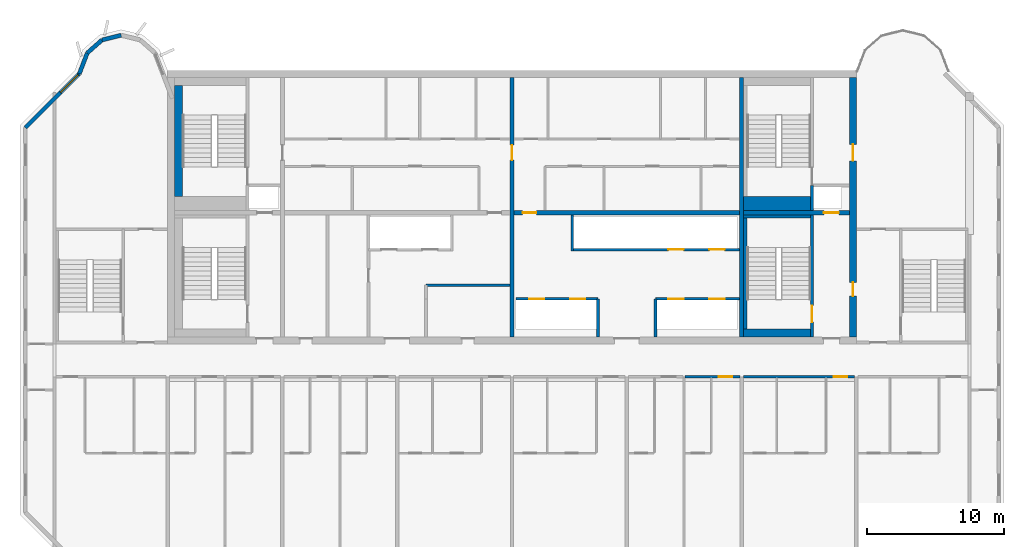
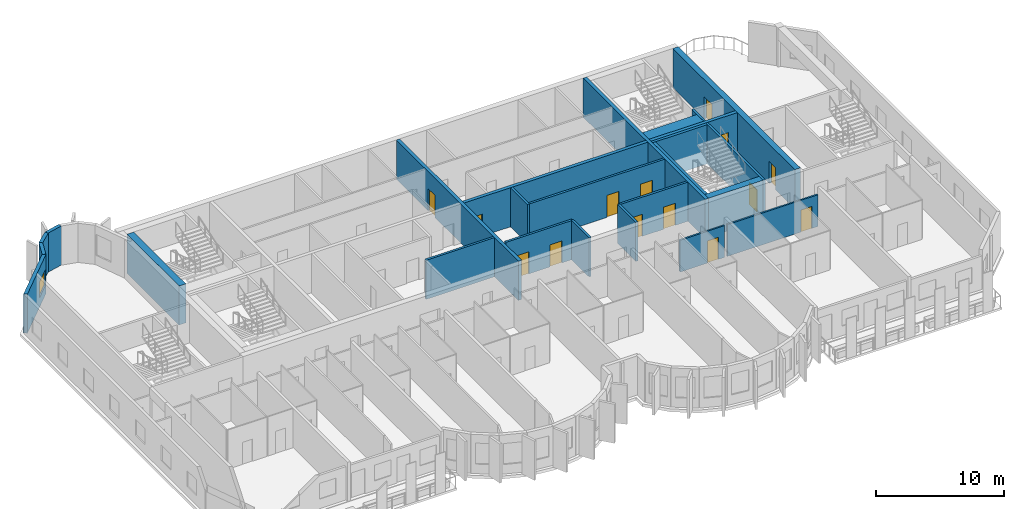
# One storey, part 6 of 12: 25 walls, 14 doors, 1 window, 15 openings.
"""IFC4 building model written with IfcOpenShell, lengths in metres."""

from ifc_helpers import new_model, si_unit, direction, frame, frame_2d, origin, place, context, subcontext, project, spatial, rectangle, extrude, source, transform, mapped, material, layer, layer_set, type_object, element, fill, save


model = new_model("IFC4")

# Units and contexts
model_context = context("Model", 3, precision=1e-05, world=origin(), true_north=direction((0.0, 1.0)))
body_context = subcontext(model_context, "Body", "Model", "MODEL_VIEW")
ifc_project = project(units=[si_unit("LENGTHUNIT", "METRE"), si_unit("AREAUNIT", "SQUARE_METRE"), si_unit("VOLUMEUNIT", "CUBIC_METRE"), si_unit("PLANEANGLEUNIT", "RADIAN"), si_unit("MASSUNIT", "GRAM", prefix="KILO")], contexts=[model_context])

# Site, building, storey
site_placement = place(None, origin())
site = spatial("IfcSite", under=ifc_project, at=site_placement, CompositionType="ELEMENT")
building_placement = place(site_placement, origin())
building = spatial("IfcBuilding", under=site, at=building_placement, Name="Vanashikhar Sky Hotel", CompositionType="ELEMENT")
storey_placement = place(building_placement, frame((0.0, 0.0, 289.699951171875)))
storey = spatial("IfcBuildingStorey", under=building, at=storey_placement, Name="L69", CompositionType="ELEMENT", Elevation=289.699951171875)

# Wall, openings, doors
ifc_material_1 = material(Name="Concrete M50", Category="concrete")
ifc_layer_1 = layer(ifc_material_1, 0.5)
ifc_layer_set_1 = layer_set([ifc_layer_1], Name="RC core shell wall 500 Concrete M50")
wall_type_1 = type_object("IfcWallType", Name="RC core shell wall 500 Concrete M50", PredefinedType="SHEAR", material=ifc_layer_set_1)
shared_shape_1 = source(origin(), body_context, "Body", "SweptSolid", [
    extrude(rectangle(XDim=19.0, YDim=0.5, at=frame_2d((9.5, 0.0))), origin(), (0.0, 0.0, 1.0), 3.719970703125),
])
wall_1_placement = place(storey_placement, frame((75.35009765625, 22.5, 0.0), z_axis=(0.0, 0.0, 1.0), x_axis=(0.0, 1.0, 0.0)))
wall_1 = element("IfcWall", 1, at=wall_1_placement, inside=storey, type_object=wall_type_1, Name="KW-L69-KE", PredefinedType="SHEAR", context=body_context, shape_type="MappedRepresentation", body=[
    mapped(shared_shape_1, transform((0.0, 0.0, 0.0), scale=1.0)),
])
shared_shape_2 = source(origin(), body_context, "Body", "SweptSolid", [
    extrude(rectangle(XDim=1.0, YDim=2.10009765625, at=frame_2d((0.5, 1.050048828125))), frame((0.0, 0.260009765625, 0.0), z_axis=(0.0, -1.0, 0.0), x_axis=(1.0, 0.0, 0.0)), (0.0, 0.0, 1.0), 0.52001953125),
])
opening_1_placement = place(wall_1_placement, frame((3.0, 0.0, 0.0)))
opening_1 = element("IfcOpeningElement", 2, at=opening_1_placement, cuts=wall_1, Name="Opening DC-5", PredefinedType="OPENING", context=body_context, shape_type="MappedRepresentation", body=[
    mapped(shared_shape_2, transform((0.0, 0.0, 0.0), scale=1.0)),
])
shared_shape_3 = source(origin(), body_context, "Body", "SweptSolid", [
    extrude(rectangle(XDim=1.199951171875, YDim=2.10009765625, at=frame_2d((0.60009765625, 1.050048828125))), frame((0.0, 0.260009765625, 0.0), z_axis=(0.0, -1.0, 0.0), x_axis=(1.0, 0.0, 0.0)), (0.0, 0.0, 1.0), 0.52001953125),
])
opening_2_placement = place(wall_1_placement, frame((12.89990234375, 0.0, 0.0)))
opening_2 = element("IfcOpeningElement", 3, at=opening_2_placement, cuts=wall_1, Name="Opening DC-4-D", PredefinedType="OPENING", context=body_context, shape_type="MappedRepresentation", body=[
    mapped(shared_shape_3, transform((0.0, 0.0, 0.0), scale=1.0)),
])
ifc_material_2 = material(Name="Steel", Category="steel")
door_type_1 = type_object("IfcDoorType", Name="Refuge door 1000 FD120", OperationType="NOTDEFINED", PredefinedType="DOOR", material=ifc_material_2)
shared_shape_4 = source(origin(), body_context, "Body", "SweptSolid", [
    extrude(rectangle(XDim=1.0, YDim=2.10009765625, at=frame_2d((0.5, 1.050048828125))), frame((0.0, 0.02490234375, 0.0), z_axis=(0.0, -1.0, 0.0), x_axis=(1.0, 0.0, 0.0)), (0.0, 0.0, 1.0), 0.050048828125),
])
door_1_placement = place(opening_1_placement, origin())
door_1 = element("IfcDoor", 4, at=door_1_placement, inside=storey, type_object=door_type_1, Name="Refuge door 1000 FD120", OperationType="SINGLE_SWING_RIGHT", OverallHeight=2.10009765625, OverallWidth=1.0, PredefinedType="DOOR", context=body_context, shape_type="MappedRepresentation", body=[
    mapped(shared_shape_4, transform((0.0, 0.0, 0.0), scale=1.0)),
])
fill(opening_1, door_1)
door_type_2 = type_object("IfcDoorType", Name="Service door 1200 FD120", OperationType="NOTDEFINED", PredefinedType="DOOR", material=ifc_material_2)
shared_shape_5 = source(origin(), body_context, "Body", "SweptSolid", [
    extrude(rectangle(XDim=1.199951171875, YDim=2.10009765625, at=frame_2d((0.60009765625, 1.050048828125))), frame((0.0, 0.02490234375, 0.0), z_axis=(0.0, -1.0, 0.0), x_axis=(1.0, 0.0, 0.0)), (0.0, 0.0, 1.0), 0.050048828125),
])
door_2_placement = place(opening_2_placement, origin())
door_2 = element("IfcDoor", 5, at=door_2_placement, inside=storey, type_object=door_type_2, Name="Service door 1200 FD120", OperationType="SINGLE_SWING_RIGHT", OverallHeight=2.10009765625, OverallWidth=1.199951171875, PredefinedType="DOOR", context=body_context, shape_type="MappedRepresentation", body=[
    mapped(shared_shape_5, transform((0.0, 0.0, 0.0), scale=1.0)),
])
fill(opening_2, door_2)

# Wall, opening, door
ifc_layer_2 = layer(ifc_material_1, 0.300048828125)
ifc_layer_set_2 = layer_set([ifc_layer_2], Name="RC core inner wall 300 Concrete M50")
wall_type_2 = type_object("IfcWallType", Name="RC core inner wall 300 Concrete M50", PredefinedType="SHEAR", material=ifc_layer_set_2)
shared_shape_6 = source(origin(), body_context, "Body", "SweptSolid", [
    extrude(rectangle(XDim=19.0, YDim=0.300048828125, at=frame_2d((9.5, 0.0))), origin(), (0.0, 0.0, 1.0), 3.719970703125),
])
wall_2_placement = place(storey_placement, frame((50.39990234375, 22.5, 0.0), z_axis=(0.0, 0.0, 1.0), x_axis=(0.0, 1.0, 0.0)))
wall_2 = element("IfcWall", 6, at=wall_2_placement, inside=storey, type_object=wall_type_2, Name="KW-L69-KX2", PredefinedType="SHEAR", context=body_context, shape_type="MappedRepresentation", body=[
    mapped(shared_shape_6, transform((0.0, 0.0, 0.0), scale=1.0)),
])
shared_shape_7 = source(origin(), body_context, "Body", "SweptSolid", [
    extrude(rectangle(XDim=1.10009765625, YDim=2.10009765625, at=frame_2d((0.550048828125, 1.050048828125))), frame((0.0, 0.16015625, 0.0), z_axis=(0.0, -1.0, 0.0), x_axis=(1.0, 0.0, 0.0)), (0.0, 0.0, 1.0), 0.320068359375),
])
opening_3_placement = place(wall_2_placement, frame((12.949951171875, 0.0, 0.0)))
opening_3 = element("IfcOpeningElement", 7, at=opening_3_placement, cuts=wall_2, Name="Opening DC-4-C", PredefinedType="OPENING", context=body_context, shape_type="MappedRepresentation", body=[
    mapped(shared_shape_7, transform((0.0, 0.0, 0.0), scale=1.0)),
])
door_type_3 = type_object("IfcDoorType", Name="Service door 1100 FD60", OperationType="NOTDEFINED", PredefinedType="DOOR", material=ifc_material_2)
shared_shape_8 = source(origin(), body_context, "Body", "SweptSolid", [
    extrude(rectangle(XDim=1.10009765625, YDim=2.10009765625, at=frame_2d((0.550048828125, 1.050048828125))), frame((0.0, 0.02490234375, 0.0), z_axis=(0.0, -1.0, 0.0), x_axis=(1.0, 0.0, 0.0)), (0.0, 0.0, 1.0), 0.050048828125),
])
door_3_placement = place(opening_3_placement, origin())
door_3 = element("IfcDoor", 8, at=door_3_placement, inside=storey, type_object=door_type_3, Name="Service door 1100 FD60", OperationType="SINGLE_SWING_RIGHT", OverallHeight=2.10009765625, OverallWidth=1.10009765625, PredefinedType="DOOR", context=body_context, shape_type="MappedRepresentation", body=[
    mapped(shared_shape_8, transform((0.0, 0.0, 0.0), scale=1.0)),
])
fill(opening_3, door_3)

# Wall
wall_3_placement = place(storey_placement, frame((67.199951171875, 22.5, 0.0), z_axis=(0.0, 0.0, 1.0), x_axis=(0.0, 1.0, 0.0)))
element("IfcWall", 9, at=wall_3_placement, inside=storey, type_object=wall_type_2, Name="KW-L69-KX3", PredefinedType="SHEAR", context=body_context, shape_type="MappedRepresentation", body=[
    mapped(shared_shape_6, transform((0.0, 0.0, 0.0), scale=1.0)),
])

# Wall, opening, door
shared_shape_9 = source(origin(), body_context, "Body", "SweptSolid", [
    extrude(rectangle(XDim=7.75, YDim=0.300048828125, at=frame_2d((3.875, 0.0))), origin(), (0.0, 0.0, 1.0), 3.719970703125),
])
wall_4_placement = place(storey_placement, frame((67.35009765625, 31.60009765625, 0.0), z_axis=(0.0, 0.0, 1.0), x_axis=(1.0, 0.0, 0.0)))
wall_4 = element("IfcWall", 10, at=wall_4_placement, inside=storey, type_object=wall_type_2, Name="KW-L69-KY4", PredefinedType="SHEAR", context=body_context, shape_type="MappedRepresentation", body=[
    mapped(shared_shape_9, transform((0.0, 0.0, 0.0), scale=1.0)),
])
opening_4_placement = place(wall_4_placement, frame((5.875, 0.0, 0.0)))
opening_4 = element("IfcOpeningElement", 11, at=opening_4_placement, cuts=wall_4, Name="Opening LD", PredefinedType="OPENING", context=body_context, shape_type="MappedRepresentation", body=[
    mapped(shared_shape_7, transform((0.0, 0.0, 0.0), scale=1.0)),
])
ifc_material_3 = material(Name="Stainless steel", Category="steel")
door_type_4 = type_object("IfcDoorType", Name="Lift landing door 1100", OperationType="NOTDEFINED", PredefinedType="DOOR", material=ifc_material_3)
door_4_placement = place(opening_4_placement, origin())
door_4 = element("IfcDoor", 12, at=door_4_placement, inside=storey, type_object=door_type_4, Name="Lift landing door 1100", OperationType="SLIDING_TO_LEFT", OverallHeight=2.10009765625, OverallWidth=1.10009765625, PredefinedType="DOOR", context=body_context, shape_type="MappedRepresentation", body=[
    mapped(shared_shape_8, transform((0.0, 0.0, 0.0), scale=1.0)),
])
fill(opening_4, door_4)

shared_shape_10 = source(origin(), body_context, "Body", "SweptSolid", [
    extrude(rectangle(XDim=16.5, YDim=0.300048828125, at=frame_2d((8.25, 0.0))), origin(), (0.0, 0.0, 1.0), 3.719970703125),
])
wall_5_placement = place(storey_placement, frame((50.550048828125, 31.60009765625, 0.0), z_axis=(0.0, 0.0, 1.0), x_axis=(1.0, 0.0, 0.0)))
wall_5 = element("IfcWall", 13, at=wall_5_placement, inside=storey, type_object=wall_type_2, Name="KW-L69-KY3", PredefinedType="SHEAR", context=body_context, shape_type="MappedRepresentation", body=[
    mapped(shared_shape_10, transform((0.0, 0.0, 0.0), scale=1.0)),
])
shared_shape_11 = source(origin(), body_context, "Body", "SweptSolid", [
    extrude(rectangle(XDim=1.0, YDim=2.10009765625, at=frame_2d((0.5, 1.050048828125))), frame((0.0, 0.16015625, 0.0), z_axis=(0.0, -1.0, 0.0), x_axis=(1.0, 0.0, 0.0)), (0.0, 0.0, 1.0), 0.320068359375),
])
opening_5_placement = place(wall_5_placement, frame((0.625, 0.0, 0.0)))
opening_5 = element("IfcOpeningElement", 14, at=opening_5_placement, cuts=wall_5, Name="Opening DC-4", PredefinedType="OPENING", context=body_context, shape_type="MappedRepresentation", body=[
    mapped(shared_shape_11, transform((0.0, 0.0, 0.0), scale=1.0)),
])
door_type_5 = type_object("IfcDoorType", Name="Service door 1000 FD60", OperationType="NOTDEFINED", PredefinedType="DOOR", material=ifc_material_2)
door_5_placement = place(opening_5_placement, origin())
door_5 = element("IfcDoor", 15, at=door_5_placement, inside=storey, type_object=door_type_5, Name="Service door 1000 FD60", OperationType="SINGLE_SWING_RIGHT", OverallHeight=2.10009765625, OverallWidth=1.0, PredefinedType="DOOR", context=body_context, shape_type="MappedRepresentation", body=[
    mapped(shared_shape_4, transform((0.0, 0.0, 0.0), scale=1.0)),
])
fill(opening_5, door_5)

# Wall, opening, window
ifc_layer_3 = layer(ifc_material_1, 0.300048828125)
ifc_layer_set_3 = layer_set([ifc_layer_3], Name="Lobe wall 300")
wall_type_3 = type_object("IfcWallType", Name="Lobe wall 300", PredefinedType="SOLIDWALL", material=ifc_layer_set_3)
shared_shape_12 = source(origin(), body_context, "Body", "SweptSolid", [
    extrude(rectangle(XDim=5.576416015625, YDim=0.300048828125, at=frame_2d((2.7880859375, 0.0))), origin(), (0.0, 0.0, 1.0), 3.719970703125),
])
wall_6_placement = place(storey_placement, frame((18.7431640625, 41.77734375, 0.0), z_axis=(0.0, 0.0, 1.0), x_axis=(-0.707106781187, -0.707106781187, 0.0)))
wall_6 = element("IfcWall", 16, at=wall_6_placement, inside=storey, type_object=wall_type_3, Name="Corner wall", PredefinedType="SOLIDWALL", context=body_context, shape_type="MappedRepresentation", body=[
    mapped(shared_shape_12, transform((0.0, 0.0, 0.0), scale=1.0)),
])
shared_shape_13 = source(origin(), body_context, "Body", "SweptSolid", [
    extrude(rectangle(XDim=1.800048828125, YDim=1.5, at=frame_2d((0.89990234375, 0.75))), frame((0.0, 0.16015625, 0.0), z_axis=(0.0, -1.0, 0.0), x_axis=(1.0, 0.0, 0.0)), (0.0, 0.0, 1.0), 0.320068359375),
])
opening_6_placement = place(wall_6_placement, frame((0.135498046875, 0.0, 0.89990234375)))
opening_6 = element("IfcOpeningElement", 17, at=opening_6_placement, cuts=wall_6, Name="Opening WN-4", PredefinedType="OPENING", context=body_context, shape_type="MappedRepresentation", body=[
    mapped(shared_shape_13, transform((0.0, 0.0, 0.0), scale=1.0)),
])
ifc_material_4 = material(Name="Glass", Category="glass")
window_type = type_object("IfcWindowType", Name="Corner window 1800 x 1500", PartitioningType="SINGLE_PANEL", PredefinedType="WINDOW", material=ifc_material_4)
shared_shape_14 = source(origin(), body_context, "Body", "SweptSolid", [
    extrude(rectangle(XDim=1.800048828125, YDim=1.5, at=frame_2d((0.89990234375, 0.75))), frame((0.0, 0.030029296875, 0.0), z_axis=(0.0, -1.0, 0.0), x_axis=(1.0, 0.0, 0.0)), (0.0, 0.0, 1.0), 0.06005859375),
])
window_placement = place(opening_6_placement, origin())
window = element("IfcWindow", 18, at=window_placement, inside=storey, type_object=window_type, Name="Window WN-4", OverallHeight=1.5, OverallWidth=1.800048828125, PartitioningType="SINGLE_PANEL", PredefinedType="WINDOW", context=body_context, shape_type="MappedRepresentation", body=[
    mapped(shared_shape_14, transform((0.0, 0.0, 0.0), scale=1.0)),
])
fill(opening_6, window)

# Walls
shared_shape_15 = source(origin(), body_context, "Body", "SweptSolid", [
    extrude(rectangle(XDim=1.6220703125, YDim=0.300048828125, at=frame_2d((0.81103515625, 0.0))), origin(), (0.0, 0.0, 1.0), 3.719970703125),
])
wall_7_placement = place(storey_placement, frame((19.323486328125, 43.2919921875, 0.0), z_axis=(0.0, 0.0, 1.0), x_axis=(-0.357778527068, -0.933806471154, 0.0)))
element("IfcWall", 19, at=wall_7_placement, inside=storey, type_object=wall_type_3, Name="Lobe wall", PredefinedType="SOLIDWALL", context=body_context, shape_type="MappedRepresentation", body=[
    mapped(shared_shape_15, transform((0.0, 0.0, 0.0), scale=1.0)),
])
shared_shape_16 = source(origin(), body_context, "Body", "SweptSolid", [
    extrude(rectangle(XDim=1.43994140625, YDim=0.300048828125, at=frame_2d((0.719970703125, 0.0))), origin(), (0.0, 0.0, 1.0), 3.719970703125),
])
wall_8_placement = place(storey_placement, frame((20.40283203125, 44.2451171875, 0.0), z_axis=(0.0, 0.0, 1.0), x_axis=(-0.74957555648, -0.661918790432, 0.0)))
element("IfcWall", 20, at=wall_8_placement, inside=storey, type_object=wall_type_3, Name="Lobe wall", PredefinedType="SOLIDWALL", context=body_context, shape_type="MappedRepresentation", body=[
    mapped(shared_shape_16, transform((0.0, 0.0, 0.0), scale=1.0)),
])
shared_shape_17 = source(origin(), body_context, "Body", "SweptSolid", [
    extrude(rectangle(XDim=1.438720703125, YDim=0.300048828125, at=frame_2d((0.71923828125, 0.0))), origin(), (0.0, 0.0, 1.0), 3.719970703125),
])
wall_9_placement = place(storey_placement, frame((21.800048828125, 44.588134765625, 0.0), z_axis=(0.0, 0.0, 1.0), x_axis=(-0.971161932466, -0.238420848351, 0.0)))
element("IfcWall", 21, at=wall_9_placement, inside=storey, type_object=wall_type_3, Name="Lobe wall", PredefinedType="SOLIDWALL", context=body_context, shape_type="MappedRepresentation", body=[
    mapped(shared_shape_17, transform((0.0, 0.0, 0.0), scale=1.0)),
])

# Wall, openings, doors
ifc_material_5 = material(Name="Concrete M40", Category="concrete")
ifc_layer_4 = layer(ifc_material_5, 0.199951171875)
ifc_layer_set_4 = layer_set([ifc_layer_4], Name="Shaft wall 200")
wall_type_4 = type_object("IfcWallType", Name="Shaft wall 200", PredefinedType="SOLIDWALL", material=ifc_layer_set_4)
shared_shape_18 = source(origin(), body_context, "Body", "SweptSolid", [
    extrude(rectangle(XDim=6.0, YDim=0.199951171875, at=frame_2d((3.0, 0.0))), origin(), (0.0, 0.0, 1.0), 3.719970703125),
])
wall_10_placement = place(storey_placement, frame((56.699951171875, 25.300048828125, 0.0), z_axis=(0.0, 0.0, 1.0), x_axis=(-1.0, 0.0, 0.0)))
wall_10 = element("IfcWall", 22, at=wall_10_placement, inside=storey, type_object=wall_type_4, Name="Shaft wall 200", PredefinedType="SOLIDWALL", context=body_context, shape_type="MappedRepresentation", body=[
    mapped(shared_shape_18, transform((0.0, 0.0, 0.0), scale=1.0)),
])
shared_shape_19 = source(origin(), body_context, "Body", "SweptSolid", [
    extrude(rectangle(XDim=1.10009765625, YDim=2.10009765625, at=frame_2d((0.550048828125, 1.050048828125))), frame((0.0, 0.10986328125, 0.0), z_axis=(0.0, -1.0, 0.0), x_axis=(1.0, 0.0, 0.0)), (0.0, 0.0, 1.0), 0.219970703125),
])
opening_7_placement = place(wall_10_placement, frame((0.949951171875, 0.0, 0.0)))
opening_7 = element("IfcOpeningElement", 23, at=opening_7_placement, cuts=wall_10, Name="Opening LD", PredefinedType="OPENING", context=body_context, shape_type="MappedRepresentation", body=[
    mapped(shared_shape_19, transform((0.0, 0.0, 0.0), scale=1.0)),
])
opening_8_placement = place(wall_10_placement, frame((3.949951171875, 0.0, 0.0)))
opening_8 = element("IfcOpeningElement", 24, at=opening_8_placement, cuts=wall_10, Name="Opening LD", PredefinedType="OPENING", context=body_context, shape_type="MappedRepresentation", body=[
    mapped(shared_shape_19, transform((0.0, 0.0, 0.0), scale=1.0)),
])
door_6_placement = place(opening_7_placement, origin())
door_6 = element("IfcDoor", 25, at=door_6_placement, inside=storey, type_object=door_type_4, Name="Lift landing door 1100", OperationType="SLIDING_TO_RIGHT", OverallHeight=2.10009765625, OverallWidth=1.10009765625, PredefinedType="DOOR", context=body_context, shape_type="MappedRepresentation", body=[
    mapped(shared_shape_8, transform((0.0, 0.0, 0.0), scale=1.0)),
])
fill(opening_7, door_6)
door_7_placement = place(opening_8_placement, origin())
door_7 = element("IfcDoor", 26, at=door_7_placement, inside=storey, type_object=door_type_4, Name="Lift landing door 1100", OperationType="SLIDING_TO_LEFT", OverallHeight=2.10009765625, OverallWidth=1.10009765625, PredefinedType="DOOR", context=body_context, shape_type="MappedRepresentation", body=[
    mapped(shared_shape_8, transform((0.0, 0.0, 0.0), scale=1.0)),
])
fill(opening_8, door_7)

# Walls
shared_shape_20 = source(origin(), body_context, "Body", "SweptSolid", [
    extrude(rectangle(XDim=2.800048828125, YDim=0.199951171875, at=frame_2d((1.39990234375, 0.0))), origin(), (0.0, 0.0, 1.0), 3.719970703125),
])
for number, where, z_axis, x_axis, name in (
    (27, (60.89990234375, 22.5, 0.0), (0.0, 0.0, 1.0), (0.0, 1.0, 0.0), "Shaft wall 200"),
    (28, (56.699951171875, 22.5, 0.0), (0.0, 0.0, 1.0), (0.0, 1.0, 0.0), "Shaft wall 200"),
):
    element("IfcWall", number, at=place(storey_placement, frame(where, z_axis=z_axis, x_axis=x_axis)), inside=storey, type_object=wall_type_4, Name=name, PredefinedType="SOLIDWALL", context=body_context, shape_type="MappedRepresentation", body=[
        mapped(shared_shape_20, transform((0.0, 0.0, 0.0), scale=1.0)),
    ])
shared_shape_21 = source(origin(), body_context, "Body", "SweptSolid", [
    extrude(rectangle(XDim=2.64990234375, YDim=0.199951171875, at=frame_2d((1.324951171875, 0.0))), origin(), (0.0, 0.0, 1.0), 3.719970703125),
])
wall_11_placement = place(storey_placement, frame((54.800048828125, 28.800048828125, 0.0), z_axis=(0.0, 0.0, 1.0), x_axis=(0.0, 1.0, 0.0)))
element("IfcWall", 29, at=wall_11_placement, inside=storey, type_object=wall_type_4, Name="Shaft wall 200", PredefinedType="SOLIDWALL", context=body_context, shape_type="MappedRepresentation", body=[
    mapped(shared_shape_21, transform((0.0, 0.0, 0.0), scale=1.0)),
])
ifc_material_6 = material(Name="Gypsum board partition")
ifc_layer_5 = layer(ifc_material_6, 0.14990234375)
ifc_layer_set_5 = layer_set([ifc_layer_5], Name="Service partition 150")
wall_type_5 = type_object("IfcWallType", Name="Service partition 150", PredefinedType="PARTITIONING", material=ifc_layer_set_5)
shared_shape_22 = source(origin(), body_context, "Body", "SweptSolid", [
    extrude(rectangle(XDim=6.14990234375, YDim=0.199951171875, at=frame_2d((3.074951171875, 0.0))), origin(), (0.0, 0.0, 1.0), 3.719970703125),
])
wall_12_placement = place(storey_placement, frame((44.10009765625, 26.300048828125, 0.0), z_axis=(0.0, 0.0, 1.0), x_axis=(1.0, 0.0, 0.0)))
element("IfcWall", 30, at=wall_12_placement, inside=storey, type_object=wall_type_5, Name="Service partition 150", PredefinedType="PARTITIONING", context=body_context, shape_type="MappedRepresentation", body=[
    mapped(shared_shape_22, transform((0.0, 0.0, 0.0), scale=1.0)),
])

# Wall, openings, doors
shared_shape_23 = source(origin(), body_context, "Body", "SweptSolid", [
    extrude(rectangle(XDim=6.150146484375, YDim=0.199951171875, at=frame_2d((3.0751953125, 0.0))), origin(), (0.0, 0.0, 1.0), 3.719970703125),
])
wall_13_placement = place(storey_placement, frame((67.050048828125, 25.300048828125, 0.0), z_axis=(0.0, 0.0, 1.0), x_axis=(-1.0, 0.0, 0.0)))
wall_13 = element("IfcWall", 31, at=wall_13_placement, inside=storey, type_object=wall_type_4, Name="Shaft wall 200", PredefinedType="SOLIDWALL", context=body_context, shape_type="MappedRepresentation", body=[
    mapped(shared_shape_23, transform((0.0, 0.0, 0.0), scale=1.0)),
])
opening_9_placement = place(wall_13_placement, frame((1.10009765625, 0.0, 0.0)))
opening_9 = element("IfcOpeningElement", 32, at=opening_9_placement, cuts=wall_13, Name="Opening LD", PredefinedType="OPENING", context=body_context, shape_type="MappedRepresentation", body=[
    mapped(shared_shape_19, transform((0.0, 0.0, 0.0), scale=1.0)),
])
opening_10_placement = place(wall_13_placement, frame((4.10009765625, 0.0, 0.0)))
opening_10 = element("IfcOpeningElement", 33, at=opening_10_placement, cuts=wall_13, Name="Opening LD", PredefinedType="OPENING", context=body_context, shape_type="MappedRepresentation", body=[
    mapped(shared_shape_19, transform((0.0, 0.0, 0.0), scale=1.0)),
])
door_8_placement = place(opening_9_placement, origin())
door_8 = element("IfcDoor", 34, at=door_8_placement, inside=storey, type_object=door_type_4, Name="Lift landing door 1100", OperationType="SLIDING_TO_RIGHT", OverallHeight=2.10009765625, OverallWidth=1.10009765625, PredefinedType="DOOR", context=body_context, shape_type="MappedRepresentation", body=[
    mapped(shared_shape_8, transform((0.0, 0.0, 0.0), scale=1.0)),
])
fill(opening_9, door_8)
door_9_placement = place(opening_10_placement, origin())
door_9 = element("IfcDoor", 35, at=door_9_placement, inside=storey, type_object=door_type_4, Name="Lift landing door 1100", OperationType="SLIDING_TO_LEFT", OverallHeight=2.10009765625, OverallWidth=1.10009765625, PredefinedType="DOOR", context=body_context, shape_type="MappedRepresentation", body=[
    mapped(shared_shape_8, transform((0.0, 0.0, 0.0), scale=1.0)),
])
fill(opening_10, door_9)

shared_shape_24 = source(origin(), body_context, "Body", "SweptSolid", [
    extrude(rectangle(XDim=12.150146484375, YDim=0.199951171875, at=frame_2d((6.0751953125, 0.0))), origin(), (0.0, 0.0, 1.0), 3.719970703125),
])
wall_14_placement = place(storey_placement, frame((67.050048828125, 28.89990234375, 0.0), z_axis=(0.0, 0.0, 1.0), x_axis=(-1.0, 0.0, 0.0)))
wall_14 = element("IfcWall", 36, at=wall_14_placement, inside=storey, type_object=wall_type_4, Name="Shaft wall 200", PredefinedType="SOLIDWALL", context=body_context, shape_type="MappedRepresentation", body=[
    mapped(shared_shape_24, transform((0.0, 0.0, 0.0), scale=1.0)),
])
opening_11_placement = place(wall_14_placement, frame((1.10009765625, 0.0, 0.0)))
opening_11 = element("IfcOpeningElement", 37, at=opening_11_placement, cuts=wall_14, Name="Opening LD", PredefinedType="OPENING", context=body_context, shape_type="MappedRepresentation", body=[
    mapped(shared_shape_19, transform((0.0, 0.0, 0.0), scale=1.0)),
])
opening_12_placement = place(wall_14_placement, frame((4.10009765625, 0.0, 0.0)))
opening_12 = element("IfcOpeningElement", 38, at=opening_12_placement, cuts=wall_14, Name="Opening LD", PredefinedType="OPENING", context=body_context, shape_type="MappedRepresentation", body=[
    mapped(shared_shape_19, transform((0.0, 0.0, 0.0), scale=1.0)),
])
door_10_placement = place(opening_11_placement, origin())
door_10 = element("IfcDoor", 39, at=door_10_placement, inside=storey, type_object=door_type_4, Name="Lift landing door 1100", OperationType="SLIDING_TO_RIGHT", OverallHeight=2.10009765625, OverallWidth=1.10009765625, PredefinedType="DOOR", context=body_context, shape_type="MappedRepresentation", body=[
    mapped(shared_shape_8, transform((0.0, 0.0, 0.0), scale=1.0)),
])
fill(opening_11, door_10)
door_11_placement = place(opening_12_placement, origin())
door_11 = element("IfcDoor", 40, at=door_11_placement, inside=storey, type_object=door_type_4, Name="Lift landing door 1100", OperationType="SLIDING_TO_LEFT", OverallHeight=2.10009765625, OverallWidth=1.10009765625, PredefinedType="DOOR", context=body_context, shape_type="MappedRepresentation", body=[
    mapped(shared_shape_8, transform((0.0, 0.0, 0.0), scale=1.0)),
])
fill(opening_12, door_11)

# Wall, opening, door
ifc_layer_6 = layer(ifc_material_1, 0.199951171875)
ifc_layer_set_6 = layer_set([ifc_layer_6], Name="Stair wall 200")
wall_type_6 = type_object("IfcWallType", Name="Stair wall 200", PredefinedType="SOLIDWALL", material=ifc_layer_set_6)
shared_shape_25 = source(origin(), body_context, "Body", "SweptSolid", [
    extrude(rectangle(XDim=8.949951171875, YDim=0.199951171875, at=frame_2d((4.47509765625, 0.0))), origin(), (0.0, 0.0, 1.0), 3.719970703125),
])
wall_15_placement = place(storey_placement, frame((72.35009765625, 22.5, 0.0), z_axis=(0.0, 0.0, 1.0), x_axis=(0.0, 1.0, 0.0)))
wall_15 = element("IfcWall", 41, at=wall_15_placement, inside=storey, type_object=wall_type_6, Name="Stair wall 200", PredefinedType="SOLIDWALL", context=body_context, shape_type="MappedRepresentation", body=[
    mapped(shared_shape_25, transform((0.0, 0.0, 0.0), scale=1.0)),
])
shared_shape_26 = source(origin(), body_context, "Body", "SweptSolid", [
    extrude(rectangle(XDim=1.199951171875, YDim=2.10009765625, at=frame_2d((0.60009765625, 1.050048828125))), frame((0.0, 0.10986328125, 0.0), z_axis=(0.0, -1.0, 0.0), x_axis=(1.0, 0.0, 0.0)), (0.0, 0.0, 1.0), 0.219970703125),
])
opening_13_placement = place(wall_15_placement, frame((1.10009765625, 0.0, 0.0)))
opening_13 = element("IfcOpeningElement", 42, at=opening_13_placement, cuts=wall_15, Name="Opening DC-1", PredefinedType="OPENING", context=body_context, shape_type="MappedRepresentation", body=[
    mapped(shared_shape_26, transform((0.0, 0.0, 0.0), scale=1.0)),
])
door_type_6 = type_object("IfcDoorType", Name="Stair door 1200 FD120", OperationType="NOTDEFINED", PredefinedType="DOOR", material=ifc_material_2)
door_12_placement = place(opening_13_placement, origin())
door_12 = element("IfcDoor", 43, at=door_12_placement, inside=storey, type_object=door_type_6, Name="Stair door 1200 FD120", OperationType="SINGLE_SWING_LEFT", OverallHeight=2.10009765625, OverallWidth=1.199951171875, PredefinedType="DOOR", context=body_context, shape_type="MappedRepresentation", body=[
    mapped(shared_shape_5, transform((0.0, 0.0, 0.0), scale=1.0)),
])
fill(opening_13, door_12)

# Walls
shared_shape_27 = source(origin(), body_context, "Body", "SweptSolid", [
    extrude(rectangle(XDim=1.85009765625, YDim=0.199951171875, at=frame_2d((0.925048828125, 0.0))), origin(), (0.0, 0.0, 1.0), 3.719970703125),
])
wall_16_placement = place(storey_placement, frame((72.35009765625, 31.75, 0.0), z_axis=(0.0, 0.0, 1.0), x_axis=(0.0, 1.0, 0.0)))
element("IfcWall", 44, at=wall_16_placement, inside=storey, type_object=wall_type_4, Name="Shaft wall 200", PredefinedType="SOLIDWALL", context=body_context, shape_type="MappedRepresentation", body=[
    mapped(shared_shape_27, transform((0.0, 0.0, 0.0), scale=1.0)),
])
ifc_layer_7 = layer(ifc_material_1, 0.60009765625)
ifc_layer_set_7 = layer_set([ifc_layer_7], Name="Stair infill wall 600")
wall_type_7 = type_object("IfcWallType", Name="Stair infill wall 600", PredefinedType="SOLIDWALL", material=ifc_layer_set_7)
shared_shape_28 = source(origin(), body_context, "Body", "SweptSolid", [
    extrude(rectangle(XDim=8.099853515625, YDim=0.60009765625, at=frame_2d((4.0498046875, 0.0))), origin(), (0.0, 0.0, 1.0), 3.719970703125),
])
wall_17_placement = place(storey_placement, frame((26.0, 32.800048828125, 0.0), z_axis=(0.0, 0.0, 1.0), x_axis=(0.0, 1.0, 0.0)))
element("IfcWall", 45, at=wall_17_placement, inside=storey, type_object=wall_type_7, Name="Stair infill wall 600", PredefinedType="SOLIDWALL", context=body_context, shape_type="MappedRepresentation", body=[
    mapped(shared_shape_28, transform((0.0, 0.0, 0.0), scale=1.0)),
])
shared_shape_29 = source(origin(), body_context, "Body", "SweptSolid", [
    extrude(rectangle(XDim=4.89990234375, YDim=0.60009765625, at=frame_2d((2.449951171875, 0.0))), origin(), (0.0, 0.0, 1.0), 3.719970703125),
])
wall_18_placement = place(storey_placement, frame((67.35009765625, 22.800048828125, 0.0), z_axis=(0.0, 0.0, 1.0), x_axis=(1.0, 0.0, 0.0)))
element("IfcWall", 46, at=wall_18_placement, inside=storey, type_object=wall_type_7, Name="Stair infill wall 600", PredefinedType="SOLIDWALL", context=body_context, shape_type="MappedRepresentation", body=[
    mapped(shared_shape_29, transform((0.0, 0.0, 0.0), scale=1.0)),
])
ifc_layer_8 = layer(ifc_material_1, 0.25)
ifc_layer_set_8 = layer_set([ifc_layer_8], Name="Stair infill wall 250")
wall_type_8 = type_object("IfcWallType", Name="Stair infill wall 250", PredefinedType="SOLIDWALL", material=ifc_layer_set_8)
shared_shape_30 = source(origin(), body_context, "Body", "SweptSolid", [
    extrude(rectangle(XDim=4.89990234375, YDim=0.25, at=frame_2d((2.449951171875, 0.0))), origin(), (0.0, 0.0, 1.0), 3.719970703125),
])
wall_19_placement = place(storey_placement, frame((67.35009765625, 31.324951171875, 0.0), z_axis=(0.0, 0.0, 1.0), x_axis=(1.0, 0.0, 0.0)))
element("IfcWall", 47, at=wall_19_placement, inside=storey, type_object=wall_type_8, Name="Stair infill wall 250", PredefinedType="SOLIDWALL", context=body_context, shape_type="MappedRepresentation", body=[
    mapped(shared_shape_30, transform((0.0, 0.0, 0.0), scale=1.0)),
])
shared_shape_31 = source(origin(), body_context, "Body", "SweptSolid", [
    extrude(rectangle(XDim=8.099853515625, YDim=0.25, at=frame_2d((4.0498046875, 0.0))), origin(), (0.0, 0.0, 1.0), 3.719970703125),
])
wall_20_placement = place(storey_placement, frame((67.47509765625, 23.10009765625, 0.0), z_axis=(0.0, 0.0, 1.0), x_axis=(0.0, 1.0, 0.0)))
element("IfcWall", 48, at=wall_20_placement, inside=storey, type_object=wall_type_8, Name="Stair infill wall 250", PredefinedType="SOLIDWALL", context=body_context, shape_type="MappedRepresentation", body=[
    mapped(shared_shape_31, transform((0.0, 0.0, 0.0), scale=1.0)),
])
ifc_layer_9 = layer(ifc_material_1, 1.050048828125)
ifc_layer_set_9 = layer_set([ifc_layer_9], Name="Stair infill wall 1050")
wall_type_9 = type_object("IfcWallType", Name="Stair infill wall 1050", PredefinedType="SOLIDWALL", material=ifc_layer_set_9)
shared_shape_32 = source(origin(), body_context, "Body", "SweptSolid", [
    extrude(rectangle(XDim=4.89990234375, YDim=1.050048828125, at=frame_2d((2.449951171875, 0.0))), origin(), (0.0, 0.0, 1.0), 3.719970703125),
])
wall_21_placement = place(storey_placement, frame((67.35009765625, 32.27490234375, 0.0), z_axis=(0.0, 0.0, 1.0), x_axis=(1.0, 0.0, 0.0)))
element("IfcWall", 49, at=wall_21_placement, inside=storey, type_object=wall_type_9, Name="Stair infill wall 1050", PredefinedType="SOLIDWALL", context=body_context, shape_type="MappedRepresentation", body=[
    mapped(shared_shape_32, transform((0.0, 0.0, 0.0), scale=1.0)),
])

# Wall, opening, door
ifc_material_7 = material(Name="Gypsum plasterboard partition")
ifc_layer_10 = layer(ifc_material_7, 0.14990234375)
ifc_layer_set_10 = layer_set([ifc_layer_10], Name="Corridor and demising partition 150")
wall_type_10 = type_object("IfcWallType", Name="Corridor and demising partition 150", PredefinedType="PARTITIONING", material=ifc_layer_set_10)
shared_shape_33 = source(origin(), body_context, "Body", "SweptSolid", [
    extrude(rectangle(XDim=8.150146484375, YDim=0.14990234375, at=frame_2d((4.0751953125, 0.0))), origin(), (0.0, 0.0, 1.0), 3.02001953125),
])
wall_22_placement = place(storey_placement, frame((67.324951171875, 19.60009765625, 0.0), z_axis=(0.0, 0.0, 1.0), x_axis=(1.0, 0.0, 0.0)))
wall_22 = element("IfcWall", 50, at=wall_22_placement, inside=storey, type_object=wall_type_10, Name="W-L69-PW041", PredefinedType="PARTITIONING", context=body_context, shape_type="MappedRepresentation", body=[
    mapped(shared_shape_33, transform((0.0, 0.0, 0.0), scale=1.0)),
])
shared_shape_34 = source(origin(), body_context, "Body", "SweptSolid", [
    extrude(rectangle(XDim=1.0, YDim=2.10009765625, at=frame_2d((0.5, 1.050048828125))), frame((0.0, 0.0849609375, 0.0), z_axis=(0.0, -1.0, 0.0), x_axis=(1.0, 0.0, 0.0)), (0.0, 0.0, 1.0), 0.169921875),
])
opening_14_placement = place(wall_22_placement, frame((6.60009765625, 0.0, 0.0)))
opening_14 = element("IfcOpeningElement", 51, at=opening_14_placement, cuts=wall_22, Name="Opening D-01", PredefinedType="OPENING", context=body_context, shape_type="MappedRepresentation", body=[
    mapped(shared_shape_34, transform((0.0, 0.0, 0.0), scale=1.0)),
])
ifc_material_8 = material(Name="Timber fire door", Category="wood")
door_type_7 = type_object("IfcDoorType", Name="Guest entry door 1000 FD30S", OperationType="NOTDEFINED", PredefinedType="DOOR", material=ifc_material_8)
door_13_placement = place(opening_14_placement, origin())
door_13 = element("IfcDoor", 52, at=door_13_placement, inside=storey, type_object=door_type_7, Name="D-L69-024", OperationType="SINGLE_SWING_RIGHT", OverallHeight=2.10009765625, OverallWidth=1.0, PredefinedType="DOOR", context=body_context, shape_type="MappedRepresentation", body=[
    mapped(shared_shape_4, transform((0.0, 0.0, 0.0), scale=1.0)),
])
fill(opening_14, door_13)

shared_shape_35 = source(origin(), body_context, "Body", "SweptSolid", [
    extrude(rectangle(XDim=4.0, YDim=0.14990234375, at=frame_2d((2.0, 0.0))), origin(), (0.0, 0.0, 1.0), 3.02001953125),
])
wall_23_placement = place(storey_placement, frame((63.074951171875, 19.60009765625, 0.0), z_axis=(0.0, 0.0, 1.0), x_axis=(1.0, 0.0, 0.0)))
wall_23 = element("IfcWall", 53, at=wall_23_placement, inside=storey, type_object=wall_type_10, Name="W-L69-PW035", PredefinedType="PARTITIONING", context=body_context, shape_type="MappedRepresentation", body=[
    mapped(shared_shape_35, transform((0.0, 0.0, 0.0), scale=1.0)),
])
opening_15_placement = place(wall_23_placement, frame((2.449951171875, 0.0, 0.0)))
opening_15 = element("IfcOpeningElement", 54, at=opening_15_placement, cuts=wall_23, Name="Opening D-01", PredefinedType="OPENING", context=body_context, shape_type="MappedRepresentation", body=[
    mapped(shared_shape_34, transform((0.0, 0.0, 0.0), scale=1.0)),
])
door_14_placement = place(opening_15_placement, origin())
door_14 = element("IfcDoor", 55, at=door_14_placement, inside=storey, type_object=door_type_7, Name="D-L69-021", OperationType="SINGLE_SWING_RIGHT", OverallHeight=2.10009765625, OverallWidth=1.0, PredefinedType="DOOR", context=body_context, shape_type="MappedRepresentation", body=[
    mapped(shared_shape_4, transform((0.0, 0.0, 0.0), scale=1.0)),
])
fill(opening_15, door_14)

save(model, "model.ifc")
